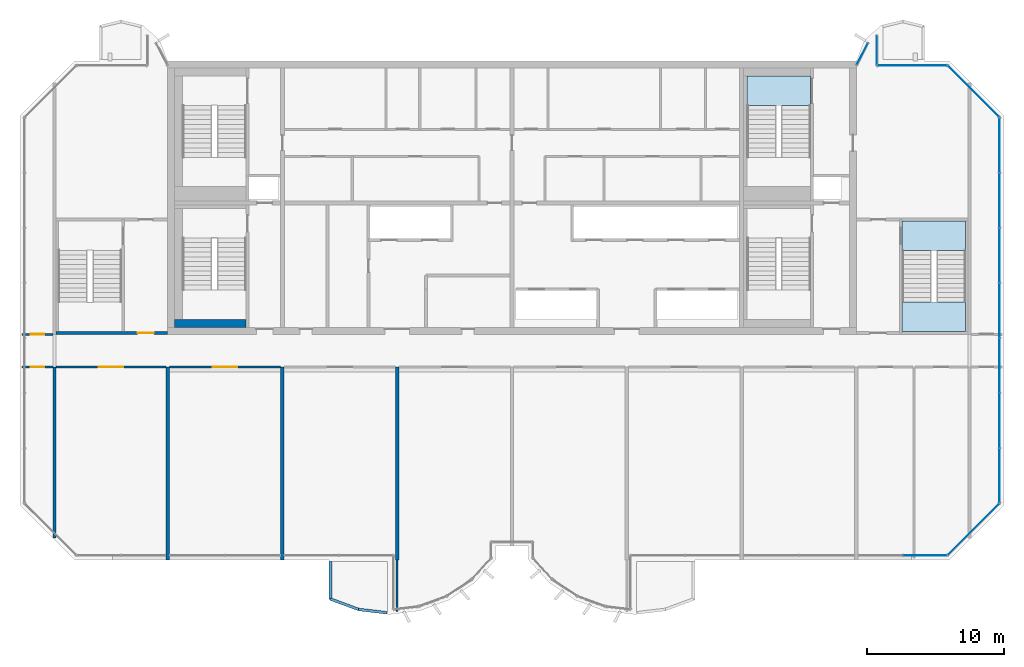
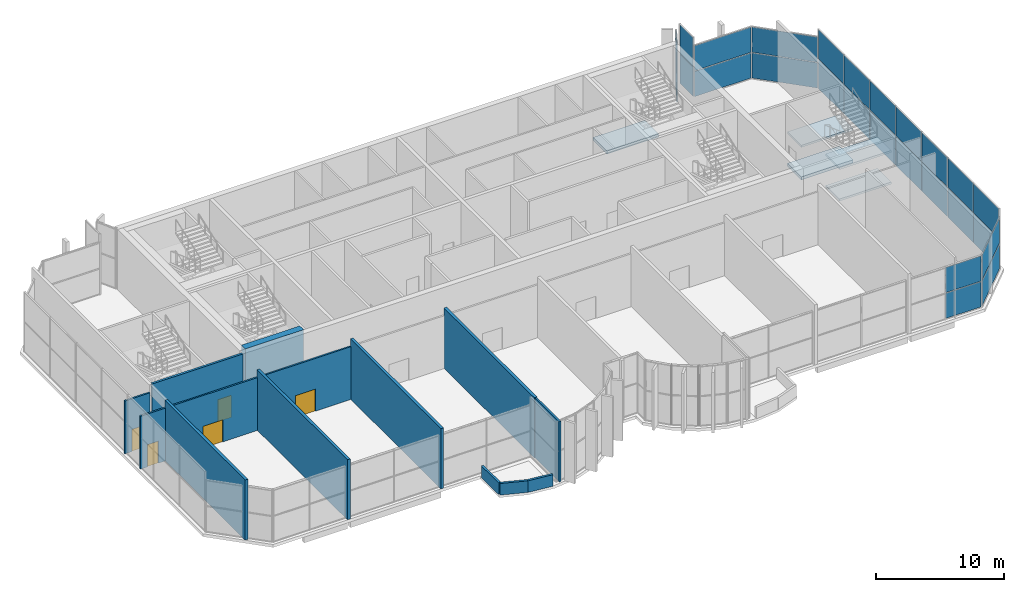
# One storey, part 12 of 17: 26 plates, 14 walls, 5 doors, 5 slabs, 5 openings, 8 elements without a shape of their own.
"""IFC4 building model written with IfcOpenShell, lengths in metres."""

from ifc_helpers import new_model, si_unit, direction, frame, frame_2d, origin, origin_2d, place, context, subcontext, project, spatial, polyline, rectangle, outline, extrude, source, transform, mapped, material, layer, layer_set, type_object, element, fill, aggregate, save


model = new_model("IFC4")

# Units and contexts
model_context = context("Model", 3, precision=1e-05, world=origin(), true_north=direction((0.0, 1.0)))
body_context = subcontext(model_context, "Body", "Model", "MODEL_VIEW")
ifc_project = project(units=[si_unit("LENGTHUNIT", "METRE"), si_unit("AREAUNIT", "SQUARE_METRE"), si_unit("VOLUMEUNIT", "CUBIC_METRE"), si_unit("PLANEANGLEUNIT", "RADIAN"), si_unit("MASSUNIT", "GRAM", prefix="KILO")], contexts=[model_context])

# Site, building, storey
site_placement = place(None, origin())
site = spatial("IfcSite", under=ifc_project, at=site_placement, CompositionType="ELEMENT")
building_placement = place(site_placement, origin())
building = spatial("IfcBuilding", under=site, at=building_placement, Name="Vanashikhar Sky Hotel", CompositionType="ELEMENT")
storey_placement = place(building_placement, frame((0.0, 0.0, 323.699951171875)))
storey = spatial("IfcBuildingStorey", under=building, at=storey_placement, Name="L77", CompositionType="ELEMENT", Elevation=323.699951171875)

# Curtain wall, plates
ifc_material_1 = material(Name="Glass", Category="glass")
curtain_wall_type = type_object("IfcCurtainWallType", Name="Sky restaurant glazing", PredefinedType="NOTDEFINED", material=ifc_material_1)
curtain_wall_1_placement = place(storey_placement, origin())
curtain_wall_1 = element("IfcCurtainWall", 1, at=curtain_wall_1_placement, inside=storey, type_object=curtain_wall_type, Name="Sky restaurant glazing", PredefinedType="NOTDEFINED")
ifc_layer_1 = layer(ifc_material_1, 0.028076171875)
ifc_layer_set_1 = layer_set([ifc_layer_1], Name="Sky restaurant glazing panel")
plate_type = type_object("IfcPlateType", Name="Sky restaurant glazing panel", PredefinedType="CURTAIN_PANEL", material=ifc_layer_set_1)
shared_shape_1 = source(origin(), body_context, "Body", "SweptSolid", [
    extrude(rectangle(XDim=3.18017578125, YDim=0.028076171875, at=origin_2d()), origin(), (0.0, 0.0, 1.0), 2.39501953125),
])
plate_1_placement = place(storey_placement, frame((80.615234375, 5.824951171875, 0.06005859375), z_axis=(0.0, 0.0, 1.0), x_axis=(1.0, 0.0, 0.0)))
plate_1 = element("IfcPlate", 2, at=plate_1_placement, type_object=plate_type, Name="CW-5 panel 2.1", PredefinedType="CURTAIN_PANEL", context=body_context, shape_type="MappedRepresentation", body=[
    mapped(shared_shape_1, transform((0.0, 0.0, 0.0), scale=1.0)),
])
plate_2_placement = place(storey_placement, frame((80.615234375, 5.824951171875, 2.51513671875), z_axis=(0.0, 0.0, 1.0), x_axis=(1.0, 0.0, 0.0)))
plate_2 = element("IfcPlate", 3, at=plate_2_placement, type_object=plate_type, Name="CW-5 panel 2.2", PredefinedType="CURTAIN_PANEL", context=body_context, shape_type="MappedRepresentation", body=[
    mapped(shared_shape_1, transform((0.0, 0.0, 0.0), scale=1.0)),
])
aggregate(curtain_wall_1, [plate_1, plate_2])

curtain_wall_2_placement = place(storey_placement, origin())
curtain_wall_2 = element("IfcCurtainWall", 4, at=curtain_wall_2_placement, inside=storey, type_object=curtain_wall_type, Name="Sky restaurant glazing", PredefinedType="NOTDEFINED")
shared_shape_2 = source(origin(), body_context, "Body", "SweptSolid", [
    extrude(rectangle(XDim=5.267578125, YDim=0.028076171875, at=origin_2d()), origin(), (0.0, 0.0, 1.0), 2.39501953125),
])
plate_3_placement = place(storey_placement, frame((84.170166015625, 7.729736328125, 0.06005859375), z_axis=(0.0, 0.0, 1.0), x_axis=(0.707106781187, 0.707106781187, 0.0)))
plate_3 = element("IfcPlate", 5, at=plate_3_placement, type_object=plate_type, Name="CW-5 panel 1.1", PredefinedType="CURTAIN_PANEL", context=body_context, shape_type="MappedRepresentation", body=[
    mapped(shared_shape_2, transform((0.0, 0.0, 0.0), scale=1.0)),
])
plate_4_placement = place(storey_placement, frame((84.170166015625, 7.729736328125, 2.51513671875), z_axis=(0.0, 0.0, 1.0), x_axis=(0.707106781187, 0.707106781187, 0.0)))
plate_4 = element("IfcPlate", 6, at=plate_4_placement, type_object=plate_type, Name="CW-5 panel 1.2", PredefinedType="CURTAIN_PANEL", context=body_context, shape_type="MappedRepresentation", body=[
    mapped(shared_shape_2, transform((0.0, 0.0, 0.0), scale=1.0)),
])
aggregate(curtain_wall_2, [plate_3, plate_4])

curtain_wall_3_placement = place(storey_placement, origin())
curtain_wall_3 = element("IfcCurtainWall", 7, at=curtain_wall_3_placement, inside=storey, type_object=curtain_wall_type, Name="Sky restaurant glazing", PredefinedType="NOTDEFINED")
plate_5_placement = place(storey_placement, frame((84.170166015625, 39.770263671875, 0.06005859375), z_axis=(0.0, 0.0, 1.0), x_axis=(-0.707106781187, 0.707106781187, 0.0)))
plate_5 = element("IfcPlate", 8, at=plate_5_placement, type_object=plate_type, Name="CW-5 panel 1.1", PredefinedType="CURTAIN_PANEL", context=body_context, shape_type="MappedRepresentation", body=[
    mapped(shared_shape_2, transform((0.0, 0.0, 0.0), scale=1.0)),
])
plate_6_placement = place(storey_placement, frame((84.170166015625, 39.770263671875, 2.51513671875), z_axis=(0.0, 0.0, 1.0), x_axis=(-0.707106781187, 0.707106781187, 0.0)))
plate_6 = element("IfcPlate", 9, at=plate_6_placement, type_object=plate_type, Name="CW-5 panel 1.2", PredefinedType="CURTAIN_PANEL", context=body_context, shape_type="MappedRepresentation", body=[
    mapped(shared_shape_2, transform((0.0, 0.0, 0.0), scale=1.0)),
])
aggregate(curtain_wall_3, [plate_5, plate_6])

curtain_wall_4_placement = place(storey_placement, origin())
curtain_wall_4 = element("IfcCurtainWall", 10, at=curtain_wall_4_placement, inside=storey, type_object=curtain_wall_type, Name="Sky restaurant glazing", PredefinedType="NOTDEFINED")
shared_shape_3 = source(origin(), body_context, "Body", "SweptSolid", [
    extrude(rectangle(XDim=3.94287109375, YDim=0.028076171875, at=origin_2d()), origin(), (0.0, 0.0, 1.0), 2.77001953125),
])
plate_7_placement = place(storey_placement, frame((86.074951171875, 11.666015625, 0.06005859375), z_axis=(0.0, 0.0, 1.0), x_axis=(0.0, 1.0, 0.0)))
plate_7 = element("IfcPlate", 11, at=plate_7_placement, type_object=plate_type, Name="CW-5 panel 1.1", PredefinedType="CURTAIN_PANEL", context=body_context, shape_type="MappedRepresentation", body=[
    mapped(shared_shape_3, transform((0.0, 0.0, 0.0), scale=1.0)),
])
plate_8_placement = place(storey_placement, frame((86.074951171875, 11.666015625, 2.89013671875), z_axis=(0.0, 0.0, 1.0), x_axis=(0.0, 1.0, 0.0)))
plate_8 = element("IfcPlate", 12, at=plate_8_placement, type_object=plate_type, Name="CW-5 panel 1.2", PredefinedType="CURTAIN_PANEL", context=body_context, shape_type="MappedRepresentation", body=[
    mapped(shared_shape_3, transform((0.0, 0.0, 0.0), scale=1.0)),
])
plate_9_placement = place(storey_placement, frame((86.074951171875, 35.833984375, 0.06005859375), z_axis=(0.0, 0.0, 1.0), x_axis=(0.0, 1.0, 0.0)))
plate_9 = element("IfcPlate", 13, at=plate_9_placement, type_object=plate_type, Name="CW-5 panel 7.1", PredefinedType="CURTAIN_PANEL", context=body_context, shape_type="MappedRepresentation", body=[
    mapped(shared_shape_3, transform((0.0, 0.0, 0.0), scale=1.0)),
])
plate_10_placement = place(storey_placement, frame((86.074951171875, 35.833984375, 2.89013671875), z_axis=(0.0, 0.0, 1.0), x_axis=(0.0, 1.0, 0.0)))
plate_10 = element("IfcPlate", 14, at=plate_10_placement, type_object=plate_type, Name="CW-5 panel 7.2", PredefinedType="CURTAIN_PANEL", context=body_context, shape_type="MappedRepresentation", body=[
    mapped(shared_shape_3, transform((0.0, 0.0, 0.0), scale=1.0)),
])
shared_shape_4 = source(origin(), body_context, "Body", "SweptSolid", [
    extrude(rectangle(XDim=3.972900390625, YDim=0.028076171875, at=origin_2d()), origin(), (0.0, 0.0, 1.0), 2.77001953125),
])
plate_11_placement = place(storey_placement, frame((86.074951171875, 15.68408203125, 0.06005859375), z_axis=(0.0, 0.0, 1.0), x_axis=(0.0, 1.0, 0.0)))
plate_11 = element("IfcPlate", 15, at=plate_11_placement, type_object=plate_type, Name="CW-5 panel 2.1", PredefinedType="CURTAIN_PANEL", context=body_context, shape_type="MappedRepresentation", body=[
    mapped(shared_shape_4, transform((0.0, 0.0, 0.0), scale=1.0)),
])
plate_12_placement = place(storey_placement, frame((86.074951171875, 15.68408203125, 2.89013671875), z_axis=(0.0, 0.0, 1.0), x_axis=(0.0, 1.0, 0.0)))
plate_12 = element("IfcPlate", 16, at=plate_12_placement, type_object=plate_type, Name="CW-5 panel 2.2", PredefinedType="CURTAIN_PANEL", context=body_context, shape_type="MappedRepresentation", body=[
    mapped(shared_shape_4, transform((0.0, 0.0, 0.0), scale=1.0)),
])
plate_13_placement = place(storey_placement, frame((86.074951171875, 19.717041015625, 0.06005859375), z_axis=(0.0, 0.0, 1.0), x_axis=(0.0, 1.0, 0.0)))
plate_13 = element("IfcPlate", 17, at=plate_13_placement, type_object=plate_type, Name="CW-5 panel 3.1", PredefinedType="CURTAIN_PANEL", context=body_context, shape_type="MappedRepresentation", body=[
    mapped(shared_shape_4, transform((0.0, 0.0, 0.0), scale=1.0)),
])
plate_14_placement = place(storey_placement, frame((86.074951171875, 19.717041015625, 2.89013671875), z_axis=(0.0, 0.0, 1.0), x_axis=(0.0, 1.0, 0.0)))
plate_14 = element("IfcPlate", 18, at=plate_14_placement, type_object=plate_type, Name="CW-5 panel 3.2", PredefinedType="CURTAIN_PANEL", context=body_context, shape_type="MappedRepresentation", body=[
    mapped(shared_shape_4, transform((0.0, 0.0, 0.0), scale=1.0)),
])
plate_15_placement = place(storey_placement, frame((86.074951171875, 23.75, 0.06005859375), z_axis=(0.0, 0.0, 1.0), x_axis=(0.0, 1.0, 0.0)))
plate_15 = element("IfcPlate", 19, at=plate_15_placement, type_object=plate_type, Name="CW-5 panel 4.1", PredefinedType="CURTAIN_PANEL", context=body_context, shape_type="MappedRepresentation", body=[
    mapped(shared_shape_4, transform((0.0, 0.0, 0.0), scale=1.0)),
])
plate_16_placement = place(storey_placement, frame((86.074951171875, 23.75, 2.89013671875), z_axis=(0.0, 0.0, 1.0), x_axis=(0.0, 1.0, 0.0)))
plate_16 = element("IfcPlate", 20, at=plate_16_placement, type_object=plate_type, Name="CW-5 panel 4.2", PredefinedType="CURTAIN_PANEL", context=body_context, shape_type="MappedRepresentation", body=[
    mapped(shared_shape_4, transform((0.0, 0.0, 0.0), scale=1.0)),
])
plate_17_placement = place(storey_placement, frame((86.074951171875, 27.782958984375, 0.06005859375), z_axis=(0.0, 0.0, 1.0), x_axis=(0.0, 1.0, 0.0)))
plate_17 = element("IfcPlate", 21, at=plate_17_placement, type_object=plate_type, Name="CW-5 panel 5.1", PredefinedType="CURTAIN_PANEL", context=body_context, shape_type="MappedRepresentation", body=[
    mapped(shared_shape_4, transform((0.0, 0.0, 0.0), scale=1.0)),
])
plate_18_placement = place(storey_placement, frame((86.074951171875, 27.782958984375, 2.89013671875), z_axis=(0.0, 0.0, 1.0), x_axis=(0.0, 1.0, 0.0)))
plate_18 = element("IfcPlate", 22, at=plate_18_placement, type_object=plate_type, Name="CW-5 panel 5.2", PredefinedType="CURTAIN_PANEL", context=body_context, shape_type="MappedRepresentation", body=[
    mapped(shared_shape_4, transform((0.0, 0.0, 0.0), scale=1.0)),
])
plate_19_placement = place(storey_placement, frame((86.074951171875, 31.81591796875, 0.06005859375), z_axis=(0.0, 0.0, 1.0), x_axis=(0.0, 1.0, 0.0)))
plate_19 = element("IfcPlate", 23, at=plate_19_placement, type_object=plate_type, Name="CW-5 panel 6.1", PredefinedType="CURTAIN_PANEL", context=body_context, shape_type="MappedRepresentation", body=[
    mapped(shared_shape_4, transform((0.0, 0.0, 0.0), scale=1.0)),
])
plate_20_placement = place(storey_placement, frame((86.074951171875, 31.81591796875, 2.89013671875), z_axis=(0.0, 0.0, 1.0), x_axis=(0.0, 1.0, 0.0)))
plate_20 = element("IfcPlate", 24, at=plate_20_placement, type_object=plate_type, Name="CW-5 panel 6.2", PredefinedType="CURTAIN_PANEL", context=body_context, shape_type="MappedRepresentation", body=[
    mapped(shared_shape_4, transform((0.0, 0.0, 0.0), scale=1.0)),
])
aggregate(curtain_wall_4, [plate_7, plate_8, plate_11, plate_12, plate_13, plate_14, plate_15, plate_16, plate_17, plate_18, plate_19, plate_20, plate_9, plate_10])

curtain_wall_5_placement = place(storey_placement, origin())
curtain_wall_5 = element("IfcCurtainWall", 25, at=curtain_wall_5_placement, inside=storey, type_object=curtain_wall_type, Name="Sky restaurant glazing", PredefinedType="NOTDEFINED")
shared_shape_5 = source(origin(), body_context, "Body", "SweptSolid", [
    extrude(rectangle(XDim=5.058349609375, YDim=0.028076171875, at=origin_2d()), origin(), (0.0, 0.0, 1.0), 2.39501953125),
])
plate_21_placement = place(storey_placement, frame((79.67626953125, 41.675048828125, 0.06005859375), z_axis=(0.0, 0.0, 1.0), x_axis=(-1.0, 0.0, 0.0)))
plate_21 = element("IfcPlate", 26, at=plate_21_placement, type_object=plate_type, Name="CW-5 panel 1.1", PredefinedType="CURTAIN_PANEL", context=body_context, shape_type="MappedRepresentation", body=[
    mapped(shared_shape_5, transform((0.0, 0.0, 0.0), scale=1.0)),
])
plate_22_placement = place(storey_placement, frame((79.67626953125, 41.675048828125, 2.51513671875), z_axis=(0.0, 0.0, 1.0), x_axis=(-1.0, 0.0, 0.0)))
plate_22 = element("IfcPlate", 27, at=plate_22_placement, type_object=plate_type, Name="CW-5 panel 1.2", PredefinedType="CURTAIN_PANEL", context=body_context, shape_type="MappedRepresentation", body=[
    mapped(shared_shape_5, transform((0.0, 0.0, 0.0), scale=1.0)),
])
aggregate(curtain_wall_5, [plate_21, plate_22])

curtain_wall_6_placement = place(storey_placement, origin())
curtain_wall_6 = element("IfcCurtainWall", 28, at=curtain_wall_6_placement, inside=storey, type_object=curtain_wall_type, Name="Sky restaurant glazing", PredefinedType="NOTDEFINED")
shared_shape_6 = source(origin(), body_context, "Body", "SweptSolid", [
    extrude(rectangle(XDim=2.0947265625, YDim=0.028076171875, at=origin_2d()), origin(), (0.0, 0.0, 1.0), 2.77001953125),
])
plate_23_placement = place(storey_placement, frame((77.0869140625, 42.782470703125, 0.06005859375), z_axis=(0.0, 0.0, 1.0), x_axis=(0.0, 1.0, 0.0)))
plate_23 = element("IfcPlate", 29, at=plate_23_placement, type_object=plate_type, Name="CW-5 panel 1.1", PredefinedType="CURTAIN_PANEL", context=body_context, shape_type="MappedRepresentation", body=[
    mapped(shared_shape_6, transform((0.0, 0.0, 0.0), scale=1.0)),
])
plate_24_placement = place(storey_placement, frame((77.0869140625, 42.782470703125, 2.89013671875), z_axis=(0.0, 0.0, 1.0), x_axis=(0.0, 1.0, 0.0)))
plate_24 = element("IfcPlate", 30, at=plate_24_placement, type_object=plate_type, Name="CW-5 panel 1.2", PredefinedType="CURTAIN_PANEL", context=body_context, shape_type="MappedRepresentation", body=[
    mapped(shared_shape_6, transform((0.0, 0.0, 0.0), scale=1.0)),
])
aggregate(curtain_wall_6, [plate_23, plate_24])

curtain_wall_7_placement = place(storey_placement, origin())
curtain_wall_7 = element("IfcCurtainWall", 31, at=curtain_wall_7_placement, inside=storey, type_object=curtain_wall_type, Name="Sky restaurant glazing", PredefinedType="NOTDEFINED")
shared_shape_7 = source(origin(), body_context, "Body", "SweptSolid", [
    extrude(rectangle(XDim=1.75048828125, YDim=0.028076171875, at=origin_2d()), origin(), (0.0, 0.0, 1.0), 2.77001953125),
])
plate_25_placement = place(storey_placement, frame((76.030029296875, 42.505615234375, 0.06005859375), z_axis=(0.0, 0.0, 1.0), x_axis=(-0.459700676655, -0.888073920281, 0.0)))
plate_25 = element("IfcPlate", 32, at=plate_25_placement, type_object=plate_type, Name="CW-5 panel 1.1", PredefinedType="CURTAIN_PANEL", context=body_context, shape_type="MappedRepresentation", body=[
    mapped(shared_shape_7, transform((0.0, 0.0, 0.0), scale=1.0)),
])
plate_26_placement = place(storey_placement, frame((76.030029296875, 42.505615234375, 2.89013671875), z_axis=(0.0, 0.0, 1.0), x_axis=(-0.459700676655, -0.888073920281, 0.0)))
plate_26 = element("IfcPlate", 33, at=plate_26_placement, type_object=plate_type, Name="CW-5 panel 1.2", PredefinedType="CURTAIN_PANEL", context=body_context, shape_type="MappedRepresentation", body=[
    mapped(shared_shape_7, transform((0.0, 0.0, 0.0), scale=1.0)),
])
aggregate(curtain_wall_7, [plate_25, plate_26])

# Stair, slabs
ifc_material_2 = material(Name="Concrete M40", Category="concrete")
stair_type = type_object("IfcStairType", Name="Exit stair 2150", PredefinedType="DOUBLE_RETURN_STAIR", material=ifc_material_2)
stair_placement = place(storey_placement, origin())
stair = element("IfcStair", 34, at=stair_placement, inside=storey, type_object=stair_type, Name="L77 Exit stair 4", PredefinedType="DOUBLE_RETURN_STAIR")
ifc_layer_2 = layer(ifc_material_2, 0.199951171875)
ifc_layer_set_2 = layer_set([ifc_layer_2], Name="Stair landing 200")
slab_type_1 = type_object("IfcSlabType", Name="Stair landing 200", PredefinedType="LANDING", material=ifc_layer_set_2)
shared_shape_8 = source(origin(), body_context, "Body", "SweptSolid", [
    extrude(outline(polyline([(83.60009765625, 28.14990234375), (83.60009765625, 30.300048828125), (78.949951171875, 30.300048828125), (78.949951171875, 28.14990234375), (83.60009765625, 28.14990234375)])), origin(), (0.0, 0.0, 1.0), 0.199951171875),
])
slab_1_placement = place(storey_placement, frame((0.0, 0.0, 2.800048828125)))
slab_1 = element("IfcSlab", 35, at=slab_1_placement, type_object=slab_type_1, Name="ST-E landing 2", PredefinedType="LANDING", context=body_context, shape_type="MappedRepresentation", body=[
    mapped(shared_shape_8, transform((0.0, 0.0, 0.0), scale=1.0)),
])
shared_shape_9 = source(origin(), body_context, "Body", "SweptSolid", [
    extrude(outline(polyline([(83.60009765625, 22.199951171875), (83.60009765625, 24.35009765625), (78.949951171875, 24.35009765625), (78.949951171875, 22.199951171875), (83.60009765625, 22.199951171875)])), origin(), (0.0, 0.0, 1.0), 0.199951171875),
])
slab_2_placement = place(storey_placement, frame((0.0, 0.0, 1.300048828125)))
slab_2 = element("IfcSlab", 36, at=slab_2_placement, type_object=slab_type_1, Name="ST-E landing 1", PredefinedType="LANDING", context=body_context, shape_type="MappedRepresentation", body=[
    mapped(shared_shape_9, transform((0.0, 0.0, 0.0), scale=1.0)),
])
slab_3_placement = place(storey_placement, frame((0.0, 0.0, 4.300048828125)))
slab_3 = element("IfcSlab", 37, at=slab_3_placement, type_object=slab_type_1, Name="ST-E landing 3", PredefinedType="LANDING", context=body_context, shape_type="MappedRepresentation", body=[
    mapped(shared_shape_9, transform((0.0, 0.0, 0.0), scale=1.0)),
])
aggregate(stair, [slab_2, slab_1, slab_3])

# Slabs
ifc_layer_3 = layer(ifc_material_2, 0.280029296875)
ifc_layer_set_3 = layer_set([ifc_layer_3], Name="Stair floor landing 280")
slab_type_2 = type_object("IfcSlabType", Name="Stair floor landing 280", PredefinedType="LANDING", material=ifc_layer_set_3)
shared_shape_10 = source(origin(), body_context, "Body", "SweptSolid", [
    extrude(outline(polyline([(83.60009765625, 28.14990234375), (83.60009765625, 30.300048828125), (78.949951171875, 30.300048828125), (78.949951171875, 28.14990234375), (83.60009765625, 28.14990234375)])), origin(), (0.0, 0.0, 1.0), 0.280029296875),
])
slab_4_placement = place(storey_placement, frame((0.0, 0.0, -0.280029296875)))
element("IfcSlab", 38, at=slab_4_placement, inside=storey, type_object=slab_type_2, Name="Exit stair 4 floor landing", PredefinedType="LANDING", context=body_context, shape_type="MappedRepresentation", body=[
    mapped(shared_shape_10, transform((0.0, 0.0, 0.0), scale=1.0)),
])
shared_shape_11 = source(origin(), body_context, "Body", "SweptSolid", [
    extrude(outline(polyline([(72.25, 38.75), (72.25, 40.89990234375), (67.60009765625, 40.89990234375), (67.60009765625, 38.75), (72.25, 38.75)])), origin(), (0.0, 0.0, 1.0), 0.280029296875),
])
slab_5_placement = place(storey_placement, frame((0.0, 0.0, -0.280029296875)))
element("IfcSlab", 39, at=slab_5_placement, inside=storey, type_object=slab_type_2, Name="Exit stair 6 floor landing", PredefinedType="LANDING", context=body_context, shape_type="MappedRepresentation", body=[
    mapped(shared_shape_11, transform((0.0, 0.0, 0.0), scale=1.0)),
])

# Walls
ifc_material_3 = material(Name="Concrete M50", Category="concrete")
ifc_layer_4 = layer(ifc_material_3, 0.25)
ifc_layer_set_4 = layer_set([ifc_layer_4], Name="RC shear wall 250 Concrete M50")
wall_type_1 = type_object("IfcWallType", Name="RC shear wall 250 Concrete M50", PredefinedType="SHEAR", material=ifc_layer_set_4)
shared_shape_12 = source(origin(), body_context, "Body", "SweptSolid", [
    extrude(rectangle(XDim=12.5, YDim=0.25, at=frame_2d((6.25, 0.0))), origin(), (0.0, 0.0, 1.0), 5.719970703125),
])
wall_1_placement = place(storey_placement, frame((16.925048828125, 7.10009765625, 0.0), z_axis=(0.0, 0.0, 1.0), x_axis=(0.0, 1.0, 0.0)))
element("IfcWall", 40, at=wall_1_placement, inside=storey, type_object=wall_type_1, Name="CW-L77-XW03-1", PredefinedType="SHEAR", context=body_context, shape_type="MappedRepresentation", body=[
    mapped(shared_shape_12, transform((0.0, 0.0, 0.0), scale=1.0)),
])
shared_shape_13 = source(origin(), body_context, "Body", "SweptSolid", [
    extrude(rectangle(XDim=14.10009765625, YDim=0.25, at=frame_2d((7.050048828125, 0.0))), origin(), (0.0, 0.0, 1.0), 5.719970703125),
])
for number, where, z_axis, x_axis, name in (
    (41, (25.199951171875, 5.5, 0.0), (0.0, 0.0, 1.0), (0.0, 1.0, 0.0), "CW-L77-XW04-1"),
    (42, (33.60009765625, 5.5, 0.0), (0.0, 0.0, 1.0), (0.0, 1.0, 0.0), "CW-L77-XW05-1"),
    (43, (42.0, 5.5, 0.0), (0.0, 0.0, 1.0), (0.0, 1.0, 0.0), "CW-L77-XW06-1"),
):
    element("IfcWall", number, at=place(storey_placement, frame(where, z_axis=z_axis, x_axis=x_axis)), inside=storey, type_object=wall_type_1, Name=name, PredefinedType="SHEAR", context=body_context, shape_type="MappedRepresentation", body=[
        mapped(shared_shape_13, transform((0.0, 0.0, 0.0), scale=1.0)),
    ])
ifc_layer_5 = layer(ifc_material_3, 0.199951171875)
ifc_layer_set_5 = layer_set([ifc_layer_5], Name="Parapet 200")
wall_type_2 = type_object("IfcWallType", Name="Parapet 200", PredefinedType="PARAPET", material=ifc_layer_set_5)
shared_shape_14 = source(origin(), body_context, "Body", "SweptSolid", [
    extrude(rectangle(XDim=2.10498046875, YDim=0.199951171875, at=frame_2d((1.052490234375, 0.0))), origin(), (0.0, 0.0, 1.0), 1.10009765625),
])
wall_2_placement = place(storey_placement, frame((41.260009765625, 1.619140625, -0.050048828125), z_axis=(0.0, 0.0, 1.0), x_axis=(-0.992992163316, 0.118180216587, 0.0)))
element("IfcWall", 44, at=wall_2_placement, inside=storey, type_object=wall_type_2, Name="Roof parapet", PredefinedType="PARAPET", context=body_context, shape_type="MappedRepresentation", body=[
    mapped(shared_shape_14, transform((0.0, 0.0, 0.0), scale=1.0)),
])
shared_shape_15 = source(origin(), body_context, "Body", "SweptSolid", [
    extrude(rectangle(XDim=2.187255859375, YDim=0.199951171875, at=frame_2d((1.09375, 0.0))), origin(), (0.0, 0.0, 1.0), 1.10009765625),
])
wall_3_placement = place(storey_placement, frame((39.169677734375, 1.867919921875, -0.050048828125), z_axis=(0.0, 0.0, 1.0), x_axis=(-0.937570914704, 0.347794163121, 0.0)))
element("IfcWall", 45, at=wall_3_placement, inside=storey, type_object=wall_type_2, Name="Roof parapet", PredefinedType="PARAPET", context=body_context, shape_type="MappedRepresentation", body=[
    mapped(shared_shape_15, transform((0.0, 0.0, 0.0), scale=1.0)),
])
shared_shape_16 = source(origin(), body_context, "Body", "SweptSolid", [
    extrude(rectangle(XDim=2.7314453125, YDim=0.199951171875, at=frame_2d((1.36572265625, 0.0))), origin(), (0.0, 0.0, 1.0), 1.10009765625),
])
wall_4_placement = place(storey_placement, frame((37.118896484375, 2.628662109375, -0.050048828125), z_axis=(0.0, 0.0, 1.0), x_axis=(0.0, 1.0, 0.0)))
element("IfcWall", 46, at=wall_4_placement, inside=storey, type_object=wall_type_2, Name="Roof parapet", PredefinedType="PARAPET", context=body_context, shape_type="MappedRepresentation", body=[
    mapped(shared_shape_16, transform((0.0, 0.0, 0.0), scale=1.0)),
])

# Wall, opening, door
ifc_layer_6 = layer(ifc_material_3, 0.199951171875)
ifc_layer_set_6 = layer_set([ifc_layer_6], Name="Stair wall 200")
wall_type_3 = type_object("IfcWallType", Name="Stair wall 200", PredefinedType="SOLIDWALL", material=ifc_layer_set_6)
shared_shape_17 = source(origin(), body_context, "Body", "SweptSolid", [
    extrude(rectangle(XDim=8.14990234375, YDim=0.199951171875, at=frame_2d((4.074951171875, 0.0))), origin(), (0.0, 0.0, 1.0), 5.719970703125),
])
wall_5_placement = place(storey_placement, frame((17.050048828125, 22.10009765625, 0.0), z_axis=(0.0, 0.0, 1.0), x_axis=(1.0, 0.0, 0.0)))
wall_5 = element("IfcWall", 47, at=wall_5_placement, inside=storey, type_object=wall_type_3, Name="Stair wall 200", PredefinedType="SOLIDWALL", context=body_context, shape_type="MappedRepresentation", body=[
    mapped(shared_shape_17, transform((0.0, 0.0, 0.0), scale=1.0)),
])
shared_shape_18 = source(origin(), body_context, "Body", "SweptSolid", [
    extrude(rectangle(XDim=1.199951171875, YDim=2.10009765625, at=frame_2d((0.60009765625, 1.050048828125))), frame((0.0, 0.10986328125, 0.0), z_axis=(0.0, -1.0, 0.0), x_axis=(1.0, 0.0, 0.0)), (0.0, 0.0, 1.0), 0.219970703125),
])
opening_1_placement = place(wall_5_placement, frame((5.949951171875, 0.0, 0.0)))
opening_1 = element("IfcOpeningElement", 48, at=opening_1_placement, cuts=wall_5, Name="Opening DC-2", PredefinedType="OPENING", context=body_context, shape_type="MappedRepresentation", body=[
    mapped(shared_shape_18, transform((0.0, 0.0, 0.0), scale=1.0)),
])
ifc_material_4 = material(Name="Steel", Category="steel")
door_type_1 = type_object("IfcDoorType", Name="Firefighting lobby door 1200 FD120", OperationType="NOTDEFINED", PredefinedType="DOOR", material=ifc_material_4)
shared_shape_19 = source(origin(), body_context, "Body", "SweptSolid", [
    extrude(rectangle(XDim=1.199951171875, YDim=2.10009765625, at=frame_2d((0.60009765625, 1.050048828125))), frame((0.0, 0.02490234375, 0.0), z_axis=(0.0, -1.0, 0.0), x_axis=(1.0, 0.0, 0.0)), (0.0, 0.0, 1.0), 0.050048828125),
])
door_1_placement = place(opening_1_placement, origin())
door_1 = element("IfcDoor", 49, at=door_1_placement, inside=storey, type_object=door_type_1, Name="Firefighting lobby door 1200 FD120", OperationType="SINGLE_SWING_RIGHT", OverallHeight=2.10009765625, OverallWidth=1.199951171875, PredefinedType="DOOR", context=body_context, shape_type="MappedRepresentation", body=[
    mapped(shared_shape_19, transform((0.0, 0.0, 0.0), scale=1.0)),
])
fill(opening_1, door_1)

# Wall
ifc_layer_7 = layer(ifc_material_3, 0.60009765625)
ifc_layer_set_7 = layer_set([ifc_layer_7], Name="Stair infill wall 600")
wall_type_4 = type_object("IfcWallType", Name="Stair infill wall 600", PredefinedType="SOLIDWALL", material=ifc_layer_set_7)
shared_shape_20 = source(origin(), body_context, "Body", "SweptSolid", [
    extrude(rectangle(XDim=5.25, YDim=0.60009765625, at=frame_2d((2.625, 0.0))), origin(), (0.0, 0.0, 1.0), 5.719970703125),
])
wall_6_placement = place(storey_placement, frame((25.699951171875, 22.800048828125, 0.0), z_axis=(0.0, 0.0, 1.0), x_axis=(1.0, 0.0, 0.0)))
element("IfcWall", 50, at=wall_6_placement, inside=storey, type_object=wall_type_4, Name="Stair infill wall 600", PredefinedType="SOLIDWALL", context=body_context, shape_type="MappedRepresentation", body=[
    mapped(shared_shape_20, transform((0.0, 0.0, 0.0), scale=1.0)),
])

# Wall, opening, door
ifc_material_5 = material(Name="Gypsum plasterboard partition")
ifc_layer_8 = layer(ifc_material_5, 0.14990234375)
ifc_layer_set_8 = layer_set([ifc_layer_8], Name="Corridor and demising partition 150")
wall_type_5 = type_object("IfcWallType", Name="Corridor and demising partition 150", PredefinedType="PARTITIONING", material=ifc_layer_set_8)
shared_shape_21 = source(origin(), body_context, "Body", "SweptSolid", [
    extrude(rectangle(XDim=8.02490234375, YDim=0.14990234375, at=frame_2d((4.012451171875, 0.0))), origin(), (0.0, 0.0, 1.0), 5.02001953125),
])
wall_7_placement = place(storey_placement, frame((17.050048828125, 19.60009765625, 0.0), z_axis=(0.0, 0.0, 1.0), x_axis=(1.0, 0.0, 0.0)))
wall_7 = element("IfcWall", 51, at=wall_7_placement, inside=storey, type_object=wall_type_5, Name="W-L77-PW001", PredefinedType="PARTITIONING", context=body_context, shape_type="MappedRepresentation", body=[
    mapped(shared_shape_21, transform((0.0, 0.0, 0.0), scale=1.0)),
])
shared_shape_22 = source(origin(), body_context, "Body", "SweptSolid", [
    extrude(rectangle(XDim=1.800048828125, YDim=2.10009765625, at=frame_2d((0.89990234375, 1.050048828125))), frame((0.0, 0.0849609375, 0.0), z_axis=(0.0, -1.0, 0.0), x_axis=(1.0, 0.0, 0.0)), (0.0, 0.0, 1.0), 0.169921875),
])
opening_2_placement = place(wall_7_placement, frame((3.113037109375, 0.0, 0.0)))
opening_2 = element("IfcOpeningElement", 52, at=opening_2_placement, cuts=wall_7, Name="Opening D-03", PredefinedType="OPENING", context=body_context, shape_type="MappedRepresentation", body=[
    mapped(shared_shape_22, transform((0.0, 0.0, 0.0), scale=1.0)),
])
ifc_material_6 = material(Name="Timber fire door", Category="wood")
door_type_2 = type_object("IfcDoorType", Name="Double leaf door 1800 FD30S", OperationType="NOTDEFINED", PredefinedType="DOOR", material=ifc_material_6)
shared_shape_23 = source(origin(), body_context, "Body", "SweptSolid", [
    extrude(rectangle(XDim=1.800048828125, YDim=2.10009765625, at=frame_2d((0.89990234375, 1.050048828125))), frame((0.0, 0.02490234375, 0.0), z_axis=(0.0, -1.0, 0.0), x_axis=(1.0, 0.0, 0.0)), (0.0, 0.0, 1.0), 0.050048828125),
])
door_2_placement = place(opening_2_placement, origin())
door_2 = element("IfcDoor", 53, at=door_2_placement, inside=storey, type_object=door_type_2, Name="D-L77-001", OperationType="DOUBLE_DOOR_SINGLE_SWING", OverallHeight=2.10009765625, OverallWidth=1.800048828125, PredefinedType="DOOR", context=body_context, shape_type="MappedRepresentation", body=[
    mapped(shared_shape_23, transform((0.0, 0.0, 0.0), scale=1.0)),
])
fill(opening_2, door_2)

shared_shape_24 = source(origin(), body_context, "Body", "SweptSolid", [
    extrude(rectangle(XDim=8.150146484375, YDim=0.14990234375, at=frame_2d((4.0751953125, 0.0))), origin(), (0.0, 0.0, 1.0), 5.02001953125),
])
wall_8_placement = place(storey_placement, frame((25.324951171875, 19.60009765625, 0.0), z_axis=(0.0, 0.0, 1.0), x_axis=(1.0, 0.0, 0.0)))
wall_8 = element("IfcWall", 54, at=wall_8_placement, inside=storey, type_object=wall_type_5, Name="W-L77-PW002", PredefinedType="PARTITIONING", context=body_context, shape_type="MappedRepresentation", body=[
    mapped(shared_shape_24, transform((0.0, 0.0, 0.0), scale=1.0)),
])
opening_3_placement = place(wall_8_placement, frame((3.175048828125, 0.0, 0.0)))
opening_3 = element("IfcOpeningElement", 55, at=opening_3_placement, cuts=wall_8, Name="Opening D-03", PredefinedType="OPENING", context=body_context, shape_type="MappedRepresentation", body=[
    mapped(shared_shape_22, transform((0.0, 0.0, 0.0), scale=1.0)),
])
door_3_placement = place(opening_3_placement, origin())
door_3 = element("IfcDoor", 56, at=door_3_placement, inside=storey, type_object=door_type_2, Name="D-L77-002", OperationType="DOUBLE_DOOR_SINGLE_SWING", OverallHeight=2.10009765625, OverallWidth=1.800048828125, PredefinedType="DOOR", context=body_context, shape_type="MappedRepresentation", body=[
    mapped(shared_shape_23, transform((0.0, 0.0, 0.0), scale=1.0)),
])
fill(opening_3, door_3)

# Wall
shared_shape_25 = source(origin(), body_context, "Body", "SweptSolid", [
    extrude(rectangle(XDim=3.778076171875, YDim=0.14990234375, at=frame_2d((1.88916015625, 0.0))), origin(), (0.0, 0.0, 1.0), 5.719970703125),
])
wall_9_placement = place(storey_placement, frame((42.0, 1.721923828125, 0.0), z_axis=(0.0, 0.0, 1.0), x_axis=(0.0, 1.0, 0.0)))
element("IfcWall", 57, at=wall_9_placement, inside=storey, type_object=wall_type_5, Name="W-L77-PW011", PredefinedType="PARTITIONING", context=body_context, shape_type="MappedRepresentation", body=[
    mapped(shared_shape_25, transform((0.0, 0.0, 0.0), scale=1.0)),
])

# Wall, opening, door
shared_shape_26 = source(origin(), body_context, "Body", "SweptSolid", [
    extrude(rectangle(XDim=2.25, YDim=0.14990234375, at=frame_2d((1.125, 0.0))), origin(), (0.0, 0.0, 1.0), 5.02001953125),
])
wall_10_placement = place(storey_placement, frame((14.550048828125, 22.0, 0.0), z_axis=(0.0, 0.0, 1.0), x_axis=(1.0, 0.0, 0.0)))
wall_10 = element("IfcWall", 58, at=wall_10_placement, inside=storey, type_object=wall_type_5, Name="W-L77-PW013", PredefinedType="PARTITIONING", context=body_context, shape_type="MappedRepresentation", body=[
    mapped(shared_shape_26, transform((0.0, 0.0, 0.0), scale=1.0)),
])
shared_shape_27 = source(origin(), body_context, "Body", "SweptSolid", [
    extrude(rectangle(XDim=1.0, YDim=2.10009765625, at=frame_2d((0.5, 1.050048828125))), frame((0.0, 0.0849609375, 0.0), z_axis=(0.0, -1.0, 0.0), x_axis=(1.0, 0.0, 0.0)), (0.0, 0.0, 1.0), 0.169921875),
])
opening_4_placement = place(wall_10_placement, frame((0.625, 0.0, 0.0)))
opening_4 = element("IfcOpeningElement", 59, at=opening_4_placement, cuts=wall_10, Name="Opening D-01", PredefinedType="OPENING", context=body_context, shape_type="MappedRepresentation", body=[
    mapped(shared_shape_27, transform((0.0, 0.0, 0.0), scale=1.0)),
])
door_type_3 = type_object("IfcDoorType", Name="Guest entry door 1000 FD30S", OperationType="NOTDEFINED", PredefinedType="DOOR", material=ifc_material_6)
shared_shape_28 = source(origin(), body_context, "Body", "SweptSolid", [
    extrude(rectangle(XDim=1.0, YDim=2.10009765625, at=frame_2d((0.5, 1.050048828125))), frame((0.0, 0.02490234375, 0.0), z_axis=(0.0, -1.0, 0.0), x_axis=(1.0, 0.0, 0.0)), (0.0, 0.0, 1.0), 0.050048828125),
])
door_4_placement = place(opening_4_placement, origin())
door_4 = element("IfcDoor", 60, at=door_4_placement, inside=storey, type_object=door_type_3, Name="D-L77-010", OperationType="SINGLE_SWING_LEFT", OverallHeight=2.10009765625, OverallWidth=1.0, PredefinedType="DOOR", context=body_context, shape_type="MappedRepresentation", body=[
    mapped(shared_shape_28, transform((0.0, 0.0, 0.0), scale=1.0)),
])
fill(opening_4, door_4)

wall_11_placement = place(storey_placement, frame((14.550048828125, 19.60009765625, 0.0), z_axis=(0.0, 0.0, 1.0), x_axis=(1.0, 0.0, 0.0)))
wall_11 = element("IfcWall", 61, at=wall_11_placement, inside=storey, type_object=wall_type_5, Name="W-L77-PW015", PredefinedType="PARTITIONING", context=body_context, shape_type="MappedRepresentation", body=[
    mapped(shared_shape_26, transform((0.0, 0.0, 0.0), scale=1.0)),
])
opening_5_placement = place(wall_11_placement, frame((0.625, 0.0, 0.0)))
opening_5 = element("IfcOpeningElement", 62, at=opening_5_placement, cuts=wall_11, Name="Opening D-01", PredefinedType="OPENING", context=body_context, shape_type="MappedRepresentation", body=[
    mapped(shared_shape_27, transform((0.0, 0.0, 0.0), scale=1.0)),
])
door_5_placement = place(opening_5_placement, origin())
door_5 = element("IfcDoor", 63, at=door_5_placement, inside=storey, type_object=door_type_3, Name="D-L77-012", OperationType="SINGLE_SWING_LEFT", OverallHeight=2.10009765625, OverallWidth=1.0, PredefinedType="DOOR", context=body_context, shape_type="MappedRepresentation", body=[
    mapped(shared_shape_28, transform((0.0, 0.0, 0.0), scale=1.0)),
])
fill(opening_5, door_5)

save(model, "model.ifc")
